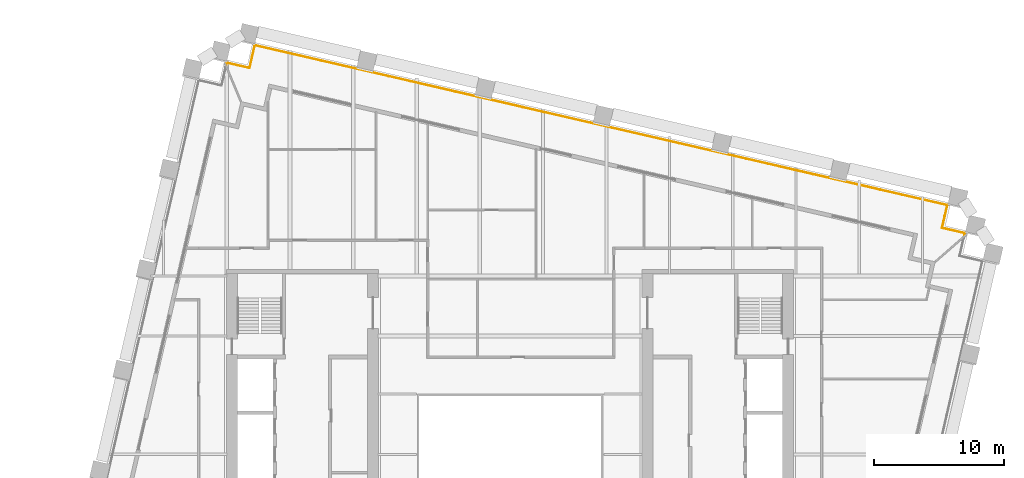
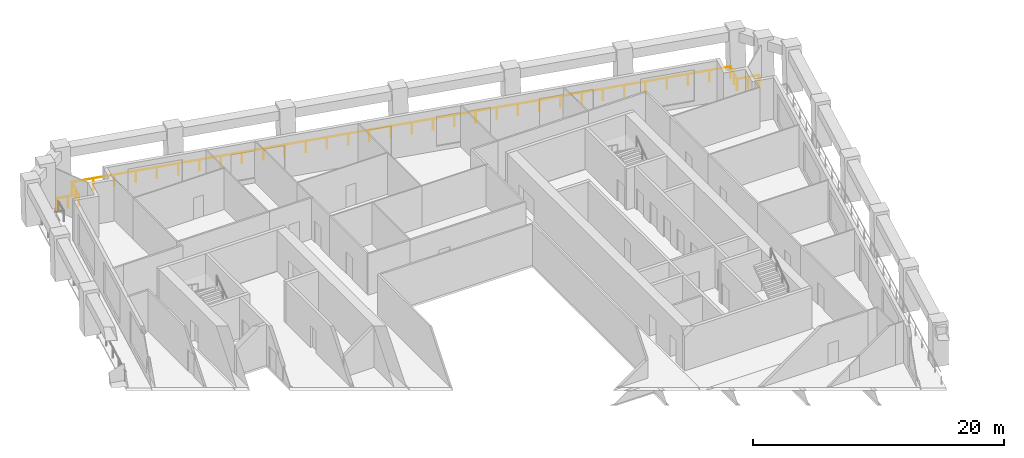
# One storey, part 11 of 11: 1 railing.
"""IFC4 building model written with IfcOpenShell, lengths in metres."""

from ifc_helpers import new_model, si_unit, direction, frame, origin, origin_2d, place, context, subcontext, project, spatial, circle, extrude, material, type_object, element, save


model = new_model("IFC4")

# Units and contexts
model_context = context("Model", 3, precision=1e-05, world=origin(), true_north=direction((0.0, 1.0)))
body_context = subcontext(model_context, "Body", "Model", "MODEL_VIEW")
ifc_project = project(units=[si_unit("LENGTHUNIT", "METRE"), si_unit("AREAUNIT", "SQUARE_METRE"), si_unit("VOLUMEUNIT", "CUBIC_METRE"), si_unit("PLANEANGLEUNIT", "RADIAN"), si_unit("MASSUNIT", "GRAM", prefix="KILO")], contexts=[model_context])

# Site, building, storey
site_placement = place(None, origin())
site = spatial("IfcSite", under=ifc_project, at=site_placement, CompositionType="ELEMENT")
building_placement = place(site_placement, origin())
building = spatial("IfcBuilding", under=site, at=building_placement, Name="Ogive Exchange Tower", CompositionType="ELEMENT")
storey_placement = place(building_placement, frame((0.0, 0.0, 109.800048828125)))
storey = spatial("IfcBuildingStorey", under=building, at=storey_placement, Name="L23", CompositionType="ELEMENT", Elevation=109.800048828125)

# Railing
ifc_material = material(Name="Stainless steel 316", Category="steel")
railing_type = type_object("IfcRailingType", Name="Guard 1100 stainless steel and glass", PredefinedType="GUARDRAIL", material=ifc_material)
railing_placement = place(storey_placement, frame((-21.861328125, 41.52490234375, -0.050048828125)))
element("IfcRailing", 1, at=railing_placement, inside=storey, type_object=railing_type, Name="Loggia guard 3", PredefinedType="GUARDRAIL", context=body_context, shape_type="SweptSolid", body=[
    extrude(circle(Radius=0.02392578125, at=origin_2d()), frame((0.0, 0.0, 1.076171875), z_axis=(0.224618254161, 0.974446837902, 0.0), x_axis=(-0.974446837902, 0.224618254161, 0.0)), (0.0, 0.0, 1.0), 0.147705078125),
    extrude(circle(Radius=0.02392578125, at=origin_2d()), frame((0.033203125, 0.14404296875, 1.076171875), z_axis=(0.974356896201, -0.225008086135, 0.0), x_axis=(0.225008086135, 0.974356896201, 0.0)), (0.0, 0.0, 1.0), 1.800048828125),
    extrude(circle(Radius=0.02392578125, at=origin_2d()), frame((1.787109375, -0.260986328125, 1.076171875), z_axis=(0.224879318197, 0.974386623598, 0.0), x_axis=(-0.974386623598, 0.224879318197, 0.0)), (0.0, 0.0, 1.0), 1.800048828125),
    extrude(circle(Radius=0.02392578125, at=origin_2d()), frame((2.19189453125, 1.492919921875, 1.076171875), z_axis=(0.974370828407, -0.224947746707, 0.0), x_axis=(0.224947746707, 0.974370828407, 0.0)), (0.0, 0.0, 1.0), 54.760009765625),
    extrude(circle(Radius=0.02392578125, at=origin_2d()), frame((55.54833984375, -10.8251953125, 1.076171875), z_axis=(-0.224879318197, -0.974386623598, 0.0), x_axis=(0.974386623598, -0.224879318197, 0.0)), (0.0, 0.0, 1.0), 1.800048828125),
    extrude(circle(Radius=0.02392578125, at=origin_2d()), frame((55.1435546875, -12.5791015625, 1.076171875), z_axis=(0.974356896201, -0.225008086135, 0.0), x_axis=(0.225008086135, 0.974356896201, 0.0)), (0.0, 0.0, 1.0), 1.800048828125),
    extrude(circle(Radius=0.02392578125, at=origin_2d()), frame((56.8974609375, -12.984130859375, 1.076171875), z_axis=(-0.226185655662, -0.974084210514, 0.0), x_axis=(0.974084210514, -0.226185655662, 0.0)), (0.0, 0.0, 1.0), 0.14794921875),
    extrude(circle(Radius=0.02099609375, at=origin_2d()), origin(), (0.0, 0.0, 1.0), 1.052001953125),
    extrude(circle(Radius=0.02099609375, at=origin_2d()), frame((0.033203125, 0.14404296875, 0.0)), (0.0, 0.0, 1.0), 1.052001953125),
    extrude(circle(Radius=0.02099609375, at=origin_2d()), frame((0.91015625, -0.05859375, 0.0)), (0.0, 0.0, 1.0), 1.052001953125),
    extrude(circle(Radius=0.02099609375, at=origin_2d()), frame((1.787109375, -0.260986328125, 0.0)), (0.0, 0.0, 1.0), 1.052001953125),
    extrude(circle(Radius=0.02099609375, at=origin_2d()), frame((1.989501953125, 0.615966796875, 0.0)), (0.0, 0.0, 1.0), 1.052001953125),
    extrude(circle(Radius=0.02099609375, at=origin_2d()), frame((2.19189453125, 1.492919921875, 0.0)), (0.0, 0.0, 1.0), 1.052001953125),
    extrude(circle(Radius=0.02099609375, at=origin_2d()), frame((3.9130859375, 1.095458984375, 0.0)), (0.0, 0.0, 1.0), 1.052001953125),
    extrude(circle(Radius=0.02099609375, at=origin_2d()), frame((5.63427734375, 0.6982421875, 0.0)), (0.0, 0.0, 1.0), 1.052001953125),
    extrude(circle(Radius=0.02099609375, at=origin_2d()), frame((7.35546875, 0.30078125, 0.0)), (0.0, 0.0, 1.0), 1.052001953125),
    extrude(circle(Radius=0.02099609375, at=origin_2d()), frame((9.07666015625, -0.096435546875, 0.0)), (0.0, 0.0, 1.0), 1.052001953125),
    extrude(circle(Radius=0.02099609375, at=origin_2d()), frame((10.7978515625, -0.493896484375, 0.0)), (0.0, 0.0, 1.0), 1.052001953125),
    extrude(circle(Radius=0.02099609375, at=origin_2d()), frame((12.51904296875, -0.89111328125, 0.0)), (0.0, 0.0, 1.0), 1.052001953125),
    extrude(circle(Radius=0.02099609375, at=origin_2d()), frame((14.240234375, -1.28857421875, 0.0)), (0.0, 0.0, 1.0), 1.052001953125),
    extrude(circle(Radius=0.02099609375, at=origin_2d()), frame((15.961181640625, -1.68603515625, 0.0)), (0.0, 0.0, 1.0), 1.052001953125),
    extrude(circle(Radius=0.02099609375, at=origin_2d()), frame((17.682373046875, -2.083251953125, 0.0)), (0.0, 0.0, 1.0), 1.052001953125),
    extrude(circle(Radius=0.02099609375, at=origin_2d()), frame((19.403564453125, -2.480712890625, 0.0)), (0.0, 0.0, 1.0), 1.052001953125),
    extrude(circle(Radius=0.02099609375, at=origin_2d()), frame((21.124755859375, -2.8779296875, 0.0)), (0.0, 0.0, 1.0), 1.052001953125),
    extrude(circle(Radius=0.02099609375, at=origin_2d()), frame((22.845947265625, -3.275390625, 0.0)), (0.0, 0.0, 1.0), 1.052001953125),
    extrude(circle(Radius=0.02099609375, at=origin_2d()), frame((24.567138671875, -3.6728515625, 0.0)), (0.0, 0.0, 1.0), 1.052001953125),
    extrude(circle(Radius=0.02099609375, at=origin_2d()), frame((26.288330078125, -4.070068359375, 0.0)), (0.0, 0.0, 1.0), 1.052001953125),
    extrude(circle(Radius=0.02099609375, at=origin_2d()), frame((28.009521484375, -4.467529296875, 0.0)), (0.0, 0.0, 1.0), 1.052001953125),
    extrude(circle(Radius=0.02099609375, at=origin_2d()), frame((29.730712890625, -4.86474609375, 0.0)), (0.0, 0.0, 1.0), 1.052001953125),
    extrude(circle(Radius=0.02099609375, at=origin_2d()), frame((31.451904296875, -5.26220703125, 0.0)), (0.0, 0.0, 1.0), 1.052001953125),
    extrude(circle(Radius=0.02099609375, at=origin_2d()), frame((33.173095703125, -5.659423828125, 0.0)), (0.0, 0.0, 1.0), 1.052001953125),
    extrude(circle(Radius=0.02099609375, at=origin_2d()), frame((34.894287109375, -6.056884765625, 0.0)), (0.0, 0.0, 1.0), 1.052001953125),
    extrude(circle(Radius=0.02099609375, at=origin_2d()), frame((36.615478515625, -6.454345703125, 0.0)), (0.0, 0.0, 1.0), 1.052001953125),
    extrude(circle(Radius=0.02099609375, at=origin_2d()), frame((38.336669921875, -6.8515625, 0.0)), (0.0, 0.0, 1.0), 1.052001953125),
    extrude(circle(Radius=0.02099609375, at=origin_2d()), frame((40.057861328125, -7.2490234375, 0.0)), (0.0, 0.0, 1.0), 1.052001953125),
    extrude(circle(Radius=0.02099609375, at=origin_2d()), frame((41.779052734375, -7.646240234375, 0.0)), (0.0, 0.0, 1.0), 1.052001953125),
    extrude(circle(Radius=0.02099609375, at=origin_2d()), frame((43.5, -8.043701171875, 0.0)), (0.0, 0.0, 1.0), 1.052001953125),
    extrude(circle(Radius=0.02099609375, at=origin_2d()), frame((45.22119140625, -8.441162109375, 0.0)), (0.0, 0.0, 1.0), 1.052001953125),
    extrude(circle(Radius=0.02099609375, at=origin_2d()), frame((46.9423828125, -8.83837890625, 0.0)), (0.0, 0.0, 1.0), 1.052001953125),
    extrude(circle(Radius=0.02099609375, at=origin_2d()), frame((48.66357421875, -9.23583984375, 0.0)), (0.0, 0.0, 1.0), 1.052001953125),
    extrude(circle(Radius=0.02099609375, at=origin_2d()), frame((50.384765625, -9.633056640625, 0.0)), (0.0, 0.0, 1.0), 1.052001953125),
    extrude(circle(Radius=0.02099609375, at=origin_2d()), frame((52.10595703125, -10.030517578125, 0.0)), (0.0, 0.0, 1.0), 1.052001953125),
    extrude(circle(Radius=0.02099609375, at=origin_2d()), frame((53.8271484375, -10.427734375, 0.0)), (0.0, 0.0, 1.0), 1.052001953125),
    extrude(circle(Radius=0.02099609375, at=origin_2d()), frame((55.54833984375, -10.8251953125, 0.0)), (0.0, 0.0, 1.0), 1.052001953125),
    extrude(circle(Radius=0.02099609375, at=origin_2d()), frame((55.345947265625, -11.7021484375, 0.0)), (0.0, 0.0, 1.0), 1.052001953125),
    extrude(circle(Radius=0.02099609375, at=origin_2d()), frame((55.1435546875, -12.5791015625, 0.0)), (0.0, 0.0, 1.0), 1.052001953125),
    extrude(circle(Radius=0.02099609375, at=origin_2d()), frame((56.0205078125, -12.78173828125, 0.0)), (0.0, 0.0, 1.0), 1.052001953125),
    extrude(circle(Radius=0.02099609375, at=origin_2d()), frame((56.8974609375, -12.984130859375, 0.0)), (0.0, 0.0, 1.0), 1.052001953125),
    extrude(circle(Radius=0.02099609375, at=origin_2d()), frame((56.864013671875, -13.128173828125, 0.0)), (0.0, 0.0, 1.0), 1.052001953125),
])

save(model, "model.ifc")
